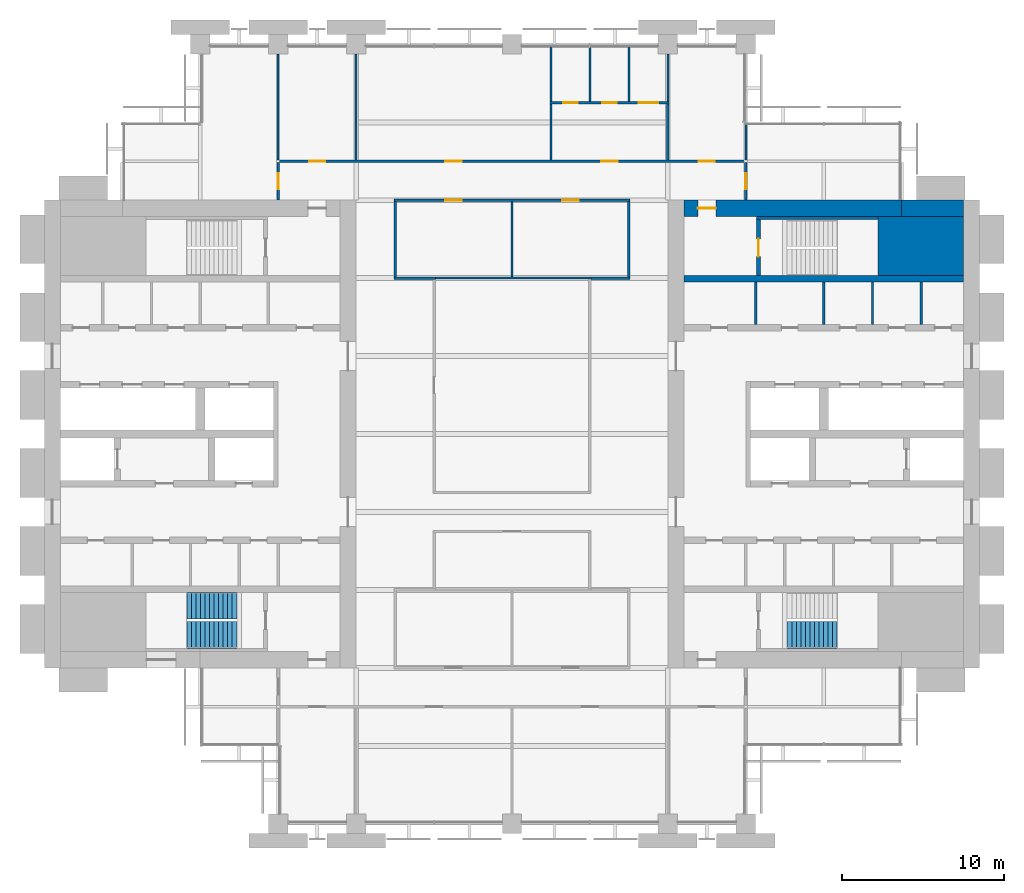
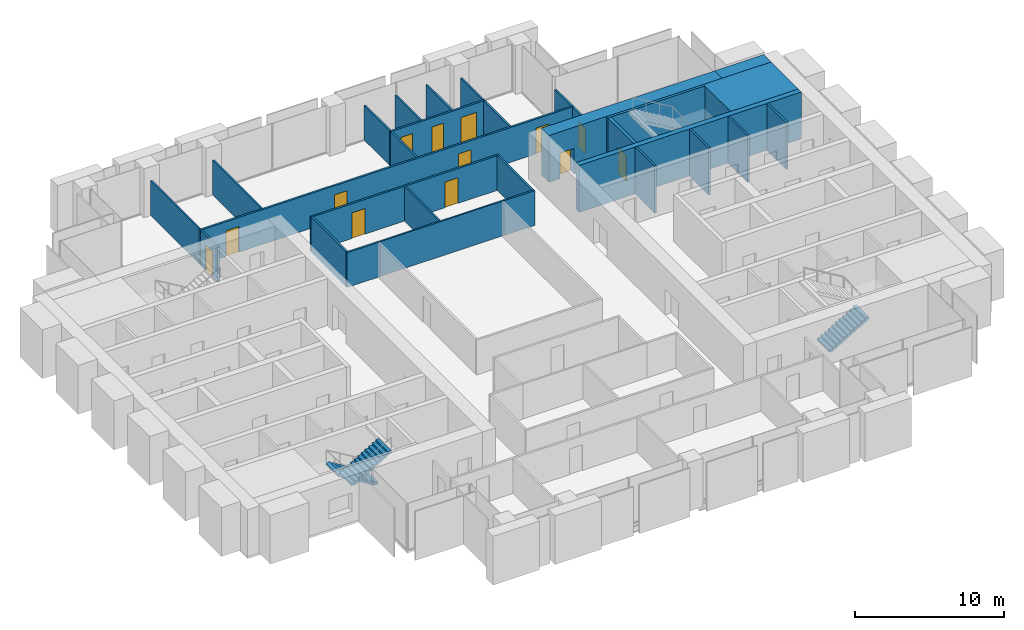
# One storey, part 12 of 14: 30 walls, 13 doors, 3 stair flights, 13 openings, 2 elements without a shape of their own.
"""IFC4 building model written with IfcOpenShell, lengths in metres."""

from ifc_helpers import new_model, si_unit, direction, frame, frame_2d, origin, place, context, subcontext, project, spatial, polyline, rectangle, outline, extrude, material, layer, layer_set, type_object, element, fill, aggregate, save


model = new_model("IFC4")

# Units and contexts
model_context = context("Model", 3, precision=1e-05, world=origin(), true_north=direction((0.0, 1.0)))
body_context = subcontext(model_context, "Body", "Model", "MODEL_VIEW")
ifc_project = project(units=[si_unit("LENGTHUNIT", "METRE"), si_unit("AREAUNIT", "SQUARE_METRE"), si_unit("VOLUMEUNIT", "CUBIC_METRE"), si_unit("PLANEANGLEUNIT", "RADIAN"), si_unit("MASSUNIT", "GRAM", prefix="KILO")], contexts=[model_context])

# Site, building, storey
site_placement = place(None, origin())
site = spatial("IfcSite", under=ifc_project, at=site_placement, CompositionType="ELEMENT")
building_placement = place(site_placement, origin())
building = spatial("IfcBuilding", under=site, at=building_placement, Name="Baori Bourse Tower", CompositionType="ELEMENT")
storey_placement = place(building_placement, frame((0.0, 0.0, 112.10009765625)))
storey = spatial("IfcBuildingStorey", under=building, at=storey_placement, Name="L23", CompositionType="ELEMENT", Elevation=112.10009765625)

# Walls
ifc_material_1 = material(Name="Concrete f'c 60 MPa", Category="concrete")
wall_type_1 = type_object("IfcWallType", Name="Core corner block f'c 60", PredefinedType="SHEAR", material=ifc_material_1)
wall_1_placement = place(storey_placement, frame((51.35009765625, 35.574951171875, 0.0), z_axis=(0.0, 0.0, 1.0), x_axis=(1.0, 0.0, 0.0)))
element("IfcWall", 1, at=wall_1_placement, inside=storey, type_object=wall_type_1, Name="Core wall E27", PredefinedType="SHEAR", context=body_context, shape_type="SweptSolid", body=[
    extrude(rectangle(XDim=5.25, YDim=3.64990234375, at=frame_2d((2.625, 0.0))), origin(), (0.0, 0.0, 1.0), 3.83984375),
])
ifc_material_2 = material(Name="Blockwork partition", Category="masonry")
ifc_layer_1 = layer(ifc_material_2, 0.14990234375)
ifc_layer_set_1 = layer_set([ifc_layer_1], Name="Core partition 150")
wall_type_2 = type_object("IfcWallType", Name="Core partition 150", PredefinedType="PARTITIONING", material=ifc_layer_set_1)
for number, where, z_axis, x_axis, name in (
    (2, (54.0, 30.75, 0.0), (0.0, 0.0, 1.0), (0.0, 1.0, 0.0), "Partition wall E22"),
    (3, (51.0, 30.75, 0.0), (0.0, 0.0, 1.0), (0.0, 1.0, 0.0), "Partition wall E23"),
    (4, (48.0, 30.75, 0.0), (0.0, 0.0, 1.0), (0.0, 1.0, 0.0), "Partition wall E24"),
    (5, (43.800048828125, 30.75, 0.0), (0.0, 0.0, 1.0), (0.0, 1.0, 0.0), "Partition wall E25"),
):
    element("IfcWall", number, at=place(storey_placement, frame(where, z_axis=z_axis, x_axis=x_axis)), inside=storey, type_object=wall_type_2, Name=name, PredefinedType="PARTITIONING", context=body_context, shape_type="SweptSolid", body=[
        extrude(rectangle(XDim=2.60009765625, YDim=0.14990234375, at=frame_2d((1.300048828125, 0.0))), origin(), (0.0, 0.0, 1.0), 3.83984375),
    ])
ifc_material_3 = material(Name="Concrete f'c 60 MPa", Category="concrete")
ifc_layer_2 = layer(ifc_material_3, 1.0)
ifc_layer_set_2 = layer_set([ifc_layer_2], Name="Core wall 1000 f'c 60")
wall_type_3 = type_object("IfcWallType", Name="Core wall 1000 f'c 60", PredefinedType="SHEAR", material=ifc_layer_set_2)
wall_2_placement = place(storey_placement, frame((52.800048828125, 37.89990234375, 0.0), z_axis=(0.0, 0.0, 1.0), x_axis=(1.0, 0.0, 0.0)))
element("IfcWall", 6, at=wall_2_placement, inside=storey, type_object=wall_type_3, Name="Core wall E30", PredefinedType="SHEAR", context=body_context, shape_type="SweptSolid", body=[
    extrude(rectangle(XDim=3.800048828125, YDim=1.0, at=frame_2d((1.89990234375, 0.0))), origin(), (0.0, 0.0, 1.0), 3.83984375),
])

# Wall, opening, door
wall_3_placement = place(storey_placement, frame((39.39990234375, 37.89990234375, 0.0), z_axis=(0.0, 0.0, 1.0), x_axis=(1.0, 0.0, 0.0)))
wall_3 = element("IfcWall", 7, at=wall_3_placement, inside=storey, type_object=wall_type_3, Name="Core wall E31", PredefinedType="SHEAR", context=body_context, shape_type="SweptSolid", body=[
    extrude(rectangle(XDim=13.400146484375, YDim=1.0, at=frame_2d((6.7001953125, 0.0))), origin(), (0.0, 0.0, 1.0), 3.83984375),
])
opening_1_placement = place(wall_3_placement, frame((0.85009765625, 0.0, 0.0)))
opening_1 = element("IfcOpeningElement", 8, at=opening_1_placement, cuts=wall_3, Name="Opening L23-D204", PredefinedType="OPENING", context=body_context, shape_type="SweptSolid", body=[
    extrude(rectangle(XDim=1.10009765625, YDim=2.10009765625, at=frame_2d((0.550048828125, 1.050048828125))), frame((0.0, 0.510009765625, 0.0), z_axis=(0.0, -1.0, 0.0), x_axis=(1.0, 0.0, 0.0)), (0.0, 0.0, 1.0), 1.02001953125),
])
ifc_material_4 = material(Name="Painted steel door", Category="steel")
door_type_1 = type_object("IfcDoorType", Name="Stair door 1100", OperationType="SINGLE_SWING_LEFT", PredefinedType="DOOR", material=ifc_material_4)
door_1_placement = place(opening_1_placement, origin())
door_1 = element("IfcDoor", 9, at=door_1_placement, inside=storey, type_object=door_type_1, Name="Stair vestibule door B E L23", OperationType="SINGLE_SWING_LEFT", OverallHeight=2.10009765625, OverallWidth=1.10009765625, PredefinedType="DOOR", context=body_context, shape_type="SweptSolid", body=[
    extrude(rectangle(XDim=1.10009765625, YDim=2.10009765625, at=frame_2d((0.550048828125, 1.050048828125))), frame((0.0, 0.02490234375, 0.0), z_axis=(0.0, -1.0, 0.0), x_axis=(1.0, 0.0, 0.0)), (0.0, 0.0, 1.0), 0.050048828125),
])
fill(opening_1, door_1)

# Walls
ifc_material_5 = material(Name="Gypsum board partition")
ifc_layer_3 = layer(ifc_material_5, 0.14990234375)
ifc_layer_set_3 = layer_set([ifc_layer_3], Name="Corridor partition 150")
wall_type_4 = type_object("IfcWallType", Name="Corridor partition 150", PredefinedType="PARTITIONING", material=ifc_layer_set_3)
wall_4_placement = place(storey_placement, frame((21.52490234375, 33.60009765625, 0.0), z_axis=(0.0, 0.0, 1.0), x_axis=(1.0, 0.0, 0.0)))
element("IfcWall", 10, at=wall_4_placement, inside=storey, type_object=wall_type_4, Name="Partition", PredefinedType="PARTITIONING", context=body_context, shape_type="SweptSolid", body=[
    extrude(rectangle(XDim=2.550048828125, YDim=0.14990234375, at=frame_2d((1.27490234375, 0.0))), origin(), (0.0, 0.0, 1.0), 2.849365234375),
])
wall_5_placement = place(storey_placement, frame((33.675048828125, 33.60009765625, 0.0), z_axis=(0.0, 0.0, 1.0), x_axis=(1.0, 0.0, 0.0)))
element("IfcWall", 11, at=wall_5_placement, inside=storey, type_object=wall_type_4, Name="Partition", PredefinedType="PARTITIONING", context=body_context, shape_type="SweptSolid", body=[
    extrude(rectangle(XDim=2.39990234375, YDim=0.14990234375, at=frame_2d((1.199951171875, 0.0))), origin(), (0.0, 0.0, 1.0), 2.849365234375),
])

# Wall, openings, doors
wall_6_placement = place(storey_placement, frame((21.52490234375, 38.39990234375, 0.0), z_axis=(0.0, 0.0, 1.0), x_axis=(1.0, 0.0, 0.0)))
wall_6 = element("IfcWall", 12, at=wall_6_placement, inside=storey, type_object=wall_type_4, Name="Partition", PredefinedType="PARTITIONING", context=body_context, shape_type="SweptSolid", body=[
    extrude(rectangle(XDim=14.550048828125, YDim=0.14990234375, at=frame_2d((7.27490234375, 0.0))), origin(), (0.0, 0.0, 1.0), 2.849365234375),
])
opening_2_placement = place(wall_6_placement, frame((3.175048828125, 0.0, 0.0)))
opening_2 = element("IfcOpeningElement", 13, at=opening_2_placement, cuts=wall_6, Name="Opening L23-D08", PredefinedType="OPENING", context=body_context, shape_type="SweptSolid", body=[
    extrude(rectangle(XDim=1.0, YDim=2.10009765625, at=frame_2d((0.5, 1.050048828125))), frame((0.0, 0.0849609375, 0.0), z_axis=(0.0, -1.0, 0.0), x_axis=(1.0, 0.0, 0.0)), (0.0, 0.0, 1.0), 0.169921875),
])
opening_3_placement = place(wall_6_placement, frame((10.375, 0.0, 0.0)))
opening_3 = element("IfcOpeningElement", 14, at=opening_3_placement, cuts=wall_6, Name="Opening L23-D09", PredefinedType="OPENING", context=body_context, shape_type="SweptSolid", body=[
    extrude(rectangle(XDim=1.0, YDim=2.10009765625, at=frame_2d((0.5, 1.050048828125))), frame((0.0, 0.0849609375, 0.0), z_axis=(0.0, -1.0, 0.0), x_axis=(1.0, 0.0, 0.0)), (0.0, 0.0, 1.0), 0.169921875),
])
ifc_material_6 = material(Name="Timber door leaf", Category="wood")
door_type_2 = type_object("IfcDoorType", Name="Door 1000 x 2100", OperationType="SINGLE_SWING_LEFT", PredefinedType="DOOR", material=ifc_material_6)
door_2_placement = place(opening_2_placement, origin())
door_2 = element("IfcDoor", 15, at=door_2_placement, inside=storey, type_object=door_type_2, Name="Door", OperationType="SINGLE_SWING_LEFT", OverallHeight=2.10009765625, OverallWidth=1.0, PredefinedType="DOOR", context=body_context, shape_type="SweptSolid", body=[
    extrude(rectangle(XDim=1.0, YDim=2.10009765625, at=frame_2d((0.5, 1.050048828125))), frame((0.0, 0.02490234375, 0.0), z_axis=(0.0, -1.0, 0.0), x_axis=(1.0, 0.0, 0.0)), (0.0, 0.0, 1.0), 0.050048828125),
])
fill(opening_2, door_2)
door_3_placement = place(opening_3_placement, origin())
door_3 = element("IfcDoor", 16, at=door_3_placement, inside=storey, type_object=door_type_2, Name="Door", OperationType="SINGLE_SWING_RIGHT", OverallHeight=2.10009765625, OverallWidth=1.0, PredefinedType="DOOR", context=body_context, shape_type="SweptSolid", body=[
    extrude(rectangle(XDim=1.0, YDim=2.10009765625, at=frame_2d((0.5, 1.050048828125))), frame((0.0, 0.02490234375, 0.0), z_axis=(0.0, -1.0, 0.0), x_axis=(1.0, 0.0, 0.0)), (0.0, 0.0, 1.0), 0.050048828125),
])
fill(opening_3, door_3)

wall_7_placement = place(storey_placement, frame((14.324951171875, 40.800048828125, 0.0), z_axis=(0.0, 0.0, 1.0), x_axis=(1.0, 0.0, 0.0)))
wall_7 = element("IfcWall", 17, at=wall_7_placement, inside=storey, type_object=wall_type_4, Name="Partition", PredefinedType="PARTITIONING", context=body_context, shape_type="SweptSolid", body=[
    extrude(rectangle(XDim=28.949951171875, YDim=0.14990234375, at=frame_2d((14.47509765625, 0.0))), origin(), (0.0, 0.0, 1.0), 2.849365234375),
])
opening_4_placement = place(wall_7_placement, frame((1.97509765625, 0.0, 0.0)))
opening_4 = element("IfcOpeningElement", 18, at=opening_4_placement, cuts=wall_7, Name="Opening L23-D10", PredefinedType="OPENING", context=body_context, shape_type="SweptSolid", body=[
    extrude(rectangle(XDim=1.0, YDim=2.10009765625, at=frame_2d((0.5, 1.050048828125))), frame((0.0, 0.0849609375, 0.0), z_axis=(0.0, -1.0, 0.0), x_axis=(1.0, 0.0, 0.0)), (0.0, 0.0, 1.0), 0.169921875),
])
opening_5_placement = place(wall_7_placement, frame((10.375, 0.0, 0.0)))
opening_5 = element("IfcOpeningElement", 19, at=opening_5_placement, cuts=wall_7, Name="Opening L23-D11", PredefinedType="OPENING", context=body_context, shape_type="SweptSolid", body=[
    extrude(rectangle(XDim=1.0, YDim=2.10009765625, at=frame_2d((0.5, 1.050048828125))), frame((0.0, 0.0849609375, 0.0), z_axis=(0.0, -1.0, 0.0), x_axis=(1.0, 0.0, 0.0)), (0.0, 0.0, 1.0), 0.169921875),
])
opening_6_placement = place(wall_7_placement, frame((19.97509765625, 0.0, 0.0)))
opening_6 = element("IfcOpeningElement", 20, at=opening_6_placement, cuts=wall_7, Name="Opening L23-D12", PredefinedType="OPENING", context=body_context, shape_type="SweptSolid", body=[
    extrude(rectangle(XDim=1.0, YDim=2.10009765625, at=frame_2d((0.5, 1.050048828125))), frame((0.0, 0.0849609375, 0.0), z_axis=(0.0, -1.0, 0.0), x_axis=(1.0, 0.0, 0.0)), (0.0, 0.0, 1.0), 0.169921875),
])
opening_7_placement = place(wall_7_placement, frame((25.97509765625, 0.0, 0.0)))
opening_7 = element("IfcOpeningElement", 21, at=opening_7_placement, cuts=wall_7, Name="Opening L23-D13", PredefinedType="OPENING", context=body_context, shape_type="SweptSolid", body=[
    extrude(rectangle(XDim=1.0, YDim=2.10009765625, at=frame_2d((0.5, 1.050048828125))), frame((0.0, 0.0849609375, 0.0), z_axis=(0.0, -1.0, 0.0), x_axis=(1.0, 0.0, 0.0)), (0.0, 0.0, 1.0), 0.169921875),
])
door_4_placement = place(opening_4_placement, origin())
door_4 = element("IfcDoor", 22, at=door_4_placement, inside=storey, type_object=door_type_2, Name="Door", OperationType="SINGLE_SWING_RIGHT", OverallHeight=2.10009765625, OverallWidth=1.0, PredefinedType="DOOR", context=body_context, shape_type="SweptSolid", body=[
    extrude(rectangle(XDim=1.0, YDim=2.10009765625, at=frame_2d((0.5, 1.050048828125))), frame((0.0, 0.02490234375, 0.0), z_axis=(0.0, -1.0, 0.0), x_axis=(1.0, 0.0, 0.0)), (0.0, 0.0, 1.0), 0.050048828125),
])
fill(opening_4, door_4)
door_5_placement = place(opening_5_placement, origin())
door_5 = element("IfcDoor", 23, at=door_5_placement, inside=storey, type_object=door_type_2, Name="Door", OperationType="SINGLE_SWING_RIGHT", OverallHeight=2.10009765625, OverallWidth=1.0, PredefinedType="DOOR", context=body_context, shape_type="SweptSolid", body=[
    extrude(rectangle(XDim=1.0, YDim=2.10009765625, at=frame_2d((0.5, 1.050048828125))), frame((0.0, 0.02490234375, 0.0), z_axis=(0.0, -1.0, 0.0), x_axis=(1.0, 0.0, 0.0)), (0.0, 0.0, 1.0), 0.050048828125),
])
fill(opening_5, door_5)
door_6_placement = place(opening_6_placement, origin())
door_6 = element("IfcDoor", 24, at=door_6_placement, inside=storey, type_object=door_type_2, Name="Door", OperationType="SINGLE_SWING_RIGHT", OverallHeight=2.10009765625, OverallWidth=1.0, PredefinedType="DOOR", context=body_context, shape_type="SweptSolid", body=[
    extrude(rectangle(XDim=1.0, YDim=2.10009765625, at=frame_2d((0.5, 1.050048828125))), frame((0.0, 0.02490234375, 0.0), z_axis=(0.0, -1.0, 0.0), x_axis=(1.0, 0.0, 0.0)), (0.0, 0.0, 1.0), 0.050048828125),
])
fill(opening_6, door_6)
door_7_placement = place(opening_7_placement, origin())
door_7 = element("IfcDoor", 25, at=door_7_placement, inside=storey, type_object=door_type_2, Name="Door", OperationType="SINGLE_SWING_LEFT", OverallHeight=2.10009765625, OverallWidth=1.0, PredefinedType="DOOR", context=body_context, shape_type="SweptSolid", body=[
    extrude(rectangle(XDim=1.0, YDim=2.10009765625, at=frame_2d((0.5, 1.050048828125))), frame((0.0, 0.02490234375, 0.0), z_axis=(0.0, -1.0, 0.0), x_axis=(1.0, 0.0, 0.0)), (0.0, 0.0, 1.0), 0.050048828125),
])
fill(opening_7, door_7)

wall_8_placement = place(storey_placement, frame((31.125, 44.39990234375, 0.0), z_axis=(0.0, 0.0, 1.0), x_axis=(1.0, 0.0, 0.0)))
wall_8 = element("IfcWall", 26, at=wall_8_placement, inside=storey, type_object=wall_type_4, Name="Partition", PredefinedType="PARTITIONING", context=body_context, shape_type="SweptSolid", body=[
    extrude(rectangle(XDim=7.35009765625, YDim=0.14990234375, at=frame_2d((3.675048828125, 0.0))), origin(), (0.0, 0.0, 1.0), 2.849365234375),
])
opening_8_placement = place(wall_8_placement, frame((0.824951171875, 0.0, 0.0)))
opening_8 = element("IfcOpeningElement", 27, at=opening_8_placement, cuts=wall_8, Name="Opening L23-D14", PredefinedType="OPENING", context=body_context, shape_type="SweptSolid", body=[
    extrude(rectangle(XDim=0.89990234375, YDim=2.10009765625, at=frame_2d((0.449951171875, 1.050048828125))), frame((0.0, 0.0849609375, 0.0), z_axis=(0.0, -1.0, 0.0), x_axis=(1.0, 0.0, 0.0)), (0.0, 0.0, 1.0), 0.169921875),
])
opening_9_placement = place(wall_8_placement, frame((3.22509765625, 0.0, 0.0)))
opening_9 = element("IfcOpeningElement", 28, at=opening_9_placement, cuts=wall_8, Name="Opening L23-D15", PredefinedType="OPENING", context=body_context, shape_type="SweptSolid", body=[
    extrude(rectangle(XDim=0.89990234375, YDim=2.10009765625, at=frame_2d((0.449951171875, 1.050048828125))), frame((0.0, 0.0849609375, 0.0), z_axis=(0.0, -1.0, 0.0), x_axis=(1.0, 0.0, 0.0)), (0.0, 0.0, 1.0), 0.169921875),
])
opening_10_placement = place(wall_8_placement, frame((5.47509765625, 0.0, 0.0)))
opening_10 = element("IfcOpeningElement", 29, at=opening_10_placement, cuts=wall_8, Name="Opening L23-D16", PredefinedType="OPENING", context=body_context, shape_type="SweptSolid", body=[
    extrude(rectangle(XDim=1.199951171875, YDim=2.10009765625, at=frame_2d((0.60009765625, 1.050048828125))), frame((0.0, 0.0849609375, 0.0), z_axis=(0.0, -1.0, 0.0), x_axis=(1.0, 0.0, 0.0)), (0.0, 0.0, 1.0), 0.169921875),
])
ifc_material_7 = material(Name="Timber door leaf", Category="wood")
door_type_3 = type_object("IfcDoorType", Name="Door 1200 x 2100", OperationType="SINGLE_SWING_LEFT", PredefinedType="DOOR", material=ifc_material_7)
door_8_placement = place(opening_10_placement, origin())
door_8 = element("IfcDoor", 30, at=door_8_placement, inside=storey, type_object=door_type_3, Name="Door", OperationType="SINGLE_SWING_LEFT", OverallHeight=2.10009765625, OverallWidth=1.199951171875, PredefinedType="DOOR", context=body_context, shape_type="SweptSolid", body=[
    extrude(rectangle(XDim=1.199951171875, YDim=2.10009765625, at=frame_2d((0.60009765625, 1.050048828125))), frame((0.0, 0.02490234375, 0.0), z_axis=(0.0, -1.0, 0.0), x_axis=(1.0, 0.0, 0.0)), (0.0, 0.0, 1.0), 0.050048828125),
])
fill(opening_10, door_8)
ifc_material_8 = material(Name="Timber door leaf", Category="wood")
door_type_4 = type_object("IfcDoorType", Name="Door 900 x 2100", OperationType="SINGLE_SWING_LEFT", PredefinedType="DOOR", material=ifc_material_8)
door_9_placement = place(opening_8_placement, origin())
door_9 = element("IfcDoor", 31, at=door_9_placement, inside=storey, type_object=door_type_4, Name="Door", OperationType="SINGLE_SWING_RIGHT", OverallHeight=2.10009765625, OverallWidth=0.89990234375, PredefinedType="DOOR", context=body_context, shape_type="SweptSolid", body=[
    extrude(rectangle(XDim=0.89990234375, YDim=2.10009765625, at=frame_2d((0.449951171875, 1.050048828125))), frame((0.0, 0.02490234375, 0.0), z_axis=(0.0, -1.0, 0.0), x_axis=(1.0, 0.0, 0.0)), (0.0, 0.0, 1.0), 0.050048828125),
])
fill(opening_8, door_9)
door_10_placement = place(opening_9_placement, origin())
door_10 = element("IfcDoor", 32, at=door_10_placement, inside=storey, type_object=door_type_4, Name="Door", OperationType="SINGLE_SWING_RIGHT", OverallHeight=2.10009765625, OverallWidth=0.89990234375, PredefinedType="DOOR", context=body_context, shape_type="SweptSolid", body=[
    extrude(rectangle(XDim=0.89990234375, YDim=2.10009765625, at=frame_2d((0.449951171875, 1.050048828125))), frame((0.0, 0.02490234375, 0.0), z_axis=(0.0, -1.0, 0.0), x_axis=(1.0, 0.0, 0.0)), (0.0, 0.0, 1.0), 0.050048828125),
])
fill(opening_9, door_10)

# Wall, opening, door
wall_9_placement = place(storey_placement, frame((14.39990234375, 38.39990234375, 0.0), z_axis=(0.0, 0.0, 1.0), x_axis=(0.0, 1.0, 0.0)))
wall_9 = element("IfcWall", 33, at=wall_9_placement, inside=storey, type_object=wall_type_4, Name="Partition", PredefinedType="PARTITIONING", context=body_context, shape_type="SweptSolid", body=[
    extrude(rectangle(XDim=2.3251953125, YDim=0.14990234375, at=frame_2d((1.16259765625, 0.0))), origin(), (0.0, 0.0, 1.0), 2.849365234375),
])
opening_11_placement = place(wall_9_placement, frame((0.66259765625, 0.0, 0.0)))
opening_11 = element("IfcOpeningElement", 34, at=opening_11_placement, cuts=wall_9, Name="Opening L23-D18", PredefinedType="OPENING", context=body_context, shape_type="SweptSolid", body=[
    extrude(rectangle(XDim=1.0, YDim=2.10009765625, at=frame_2d((0.5, 1.050048828125))), frame((0.0, 0.0849609375, 0.0), z_axis=(0.0, -1.0, 0.0), x_axis=(1.0, 0.0, 0.0)), (0.0, 0.0, 1.0), 0.169921875),
])
door_11_placement = place(opening_11_placement, origin())
door_11 = element("IfcDoor", 35, at=door_11_placement, inside=storey, type_object=door_type_2, Name="Door", OperationType="SINGLE_SWING_RIGHT", OverallHeight=2.10009765625, OverallWidth=1.0, PredefinedType="DOOR", context=body_context, shape_type="SweptSolid", body=[
    extrude(rectangle(XDim=1.0, YDim=2.10009765625, at=frame_2d((0.5, 1.050048828125))), frame((0.0, 0.02490234375, 0.0), z_axis=(0.0, -1.0, 0.0), x_axis=(1.0, 0.0, 0.0)), (0.0, 0.0, 1.0), 0.050048828125),
])
fill(opening_11, door_11)

# Walls
wall_10_placement = place(storey_placement, frame((21.60009765625, 33.675048828125, 0.0), z_axis=(0.0, 0.0, 1.0), x_axis=(0.0, 1.0, 0.0)))
element("IfcWall", 36, at=wall_10_placement, inside=storey, type_object=wall_type_4, Name="Partition", PredefinedType="PARTITIONING", context=body_context, shape_type="SweptSolid", body=[
    extrude(rectangle(XDim=4.64990234375, YDim=0.14990234375, at=frame_2d((2.324951171875, 0.0))), origin(), (0.0, 0.0, 1.0), 2.849365234375),
])
wall_11_placement = place(storey_placement, frame((31.199951171875, 40.875, 0.0), z_axis=(0.0, 0.0, 1.0), x_axis=(0.0, 1.0, 0.0)))
element("IfcWall", 37, at=wall_11_placement, inside=storey, type_object=wall_type_4, Name="Partition", PredefinedType="PARTITIONING", context=body_context, shape_type="SweptSolid", body=[
    extrude(rectangle(XDim=3.449951171875, YDim=0.14990234375, at=frame_2d((1.72509765625, 0.0))), origin(), (0.0, 0.0, 1.0), 2.849365234375),
])
wall_12_placement = place(storey_placement, frame((36.0, 33.675048828125, 0.0), z_axis=(0.0, 0.0, 1.0), x_axis=(0.0, 1.0, 0.0)))
element("IfcWall", 38, at=wall_12_placement, inside=storey, type_object=wall_type_4, Name="Partition", PredefinedType="PARTITIONING", context=body_context, shape_type="SweptSolid", body=[
    extrude(rectangle(XDim=4.64990234375, YDim=0.14990234375, at=frame_2d((2.324951171875, 0.0))), origin(), (0.0, 0.0, 1.0), 2.849365234375),
])
wall_13_placement = place(storey_placement, frame((38.39990234375, 40.875, 0.0), z_axis=(0.0, 0.0, 1.0), x_axis=(0.0, 1.0, 0.0)))
element("IfcWall", 39, at=wall_13_placement, inside=storey, type_object=wall_type_4, Name="Partition", PredefinedType="PARTITIONING", context=body_context, shape_type="SweptSolid", body=[
    extrude(rectangle(XDim=3.449951171875, YDim=0.14990234375, at=frame_2d((1.72509765625, 0.0))), origin(), (0.0, 0.0, 1.0), 2.849365234375),
])

# Wall, opening, door
wall_14_placement = place(storey_placement, frame((43.199951171875, 38.39990234375, 0.0), z_axis=(0.0, 0.0, 1.0), x_axis=(0.0, 1.0, 0.0)))
wall_14 = element("IfcWall", 40, at=wall_14_placement, inside=storey, type_object=wall_type_4, Name="Partition", PredefinedType="PARTITIONING", context=body_context, shape_type="SweptSolid", body=[
    extrude(rectangle(XDim=2.3251953125, YDim=0.14990234375, at=frame_2d((1.16259765625, 0.0))), origin(), (0.0, 0.0, 1.0), 2.849365234375),
])
opening_12_placement = place(wall_14_placement, frame((0.66259765625, 0.0, 0.0)))
opening_12 = element("IfcOpeningElement", 41, at=opening_12_placement, cuts=wall_14, Name="Opening L23-D21", PredefinedType="OPENING", context=body_context, shape_type="SweptSolid", body=[
    extrude(rectangle(XDim=1.0, YDim=2.10009765625, at=frame_2d((0.5, 1.050048828125))), frame((0.0, 0.0849609375, 0.0), z_axis=(0.0, -1.0, 0.0), x_axis=(1.0, 0.0, 0.0)), (0.0, 0.0, 1.0), 0.169921875),
])
door_12_placement = place(opening_12_placement, origin())
door_12 = element("IfcDoor", 42, at=door_12_placement, inside=storey, type_object=door_type_2, Name="Door", OperationType="SINGLE_SWING_LEFT", OverallHeight=2.10009765625, OverallWidth=1.0, PredefinedType="DOOR", context=body_context, shape_type="SweptSolid", body=[
    extrude(rectangle(XDim=1.0, YDim=2.10009765625, at=frame_2d((0.5, 1.050048828125))), frame((0.0, 0.02490234375, 0.0), z_axis=(0.0, -1.0, 0.0), x_axis=(1.0, 0.0, 0.0)), (0.0, 0.0, 1.0), 0.050048828125),
])
fill(opening_12, door_12)

# Walls
ifc_material_9 = material(Name="Gypsum board partition")
ifc_layer_4 = layer(ifc_material_9, 0.125)
ifc_layer_set_4 = layer_set([ifc_layer_4], Name="Partition 125")
wall_type_5 = type_object("IfcWallType", Name="Partition 125", PredefinedType="PARTITIONING", material=ifc_layer_set_4)
wall_15_placement = place(storey_placement, frame((24.074951171875, 33.60009765625, 0.0), z_axis=(0.0, 0.0, 1.0), x_axis=(1.0, 0.0, 0.0)))
element("IfcWall", 43, at=wall_15_placement, inside=storey, type_object=wall_type_5, Name="Partition", PredefinedType="PARTITIONING", context=body_context, shape_type="SweptSolid", body=[
    extrude(rectangle(XDim=9.60009765625, YDim=0.125, at=frame_2d((4.800048828125, 0.0))), origin(), (0.0, 0.0, 1.0), 2.849365234375),
])
for number, where, z_axis, x_axis, name in (
    (44, (14.39990234375, 40.875, 0.0), (0.0, 0.0, 1.0), (0.0, 1.0, 0.0), "Partition"),
    (45, (19.199951171875, 40.875, 0.0), (0.0, 0.0, 1.0), (0.0, 1.0, 0.0), "Partition"),
):
    element("IfcWall", number, at=place(storey_placement, frame(where, z_axis=z_axis, x_axis=x_axis)), inside=storey, type_object=wall_type_5, Name=name, PredefinedType="PARTITIONING", context=body_context, shape_type="SweptSolid", body=[
        extrude(rectangle(XDim=6.52490234375, YDim=0.125, at=frame_2d((3.262451171875, 0.0))), origin(), (0.0, 0.0, 1.0), 2.849365234375),
    ])
wall_16_placement = place(storey_placement, frame((28.800048828125, 33.66259765625, 0.0), z_axis=(0.0, 0.0, 1.0), x_axis=(0.0, 1.0, 0.0)))
element("IfcWall", 46, at=wall_16_placement, inside=storey, type_object=wall_type_5, Name="Partition", PredefinedType="PARTITIONING", context=body_context, shape_type="SweptSolid", body=[
    extrude(rectangle(XDim=4.662353515625, YDim=0.125, at=frame_2d((2.3310546875, 0.0))), origin(), (0.0, 0.0, 1.0), 2.849365234375),
])
for number, where, z_axis, x_axis, name in (
    (47, (31.199951171875, 44.47509765625, 0.0), (0.0, 0.0, 1.0), (0.0, 1.0, 0.0), "Partition"),
    (48, (33.60009765625, 44.47509765625, 0.0), (0.0, 0.0, 1.0), (0.0, 1.0, 0.0), "Partition"),
    (49, (36.0, 44.47509765625, 0.0), (0.0, 0.0, 1.0), (0.0, 1.0, 0.0), "Partition"),
):
    element("IfcWall", number, at=place(storey_placement, frame(where, z_axis=z_axis, x_axis=x_axis)), inside=storey, type_object=wall_type_5, Name=name, PredefinedType="PARTITIONING", context=body_context, shape_type="SweptSolid", body=[
        extrude(rectangle(XDim=3.4248046875, YDim=0.125, at=frame_2d((1.71240234375, 0.0))), origin(), (0.0, 0.0, 1.0), 2.849365234375),
    ])
wall_17_placement = place(storey_placement, frame((38.39990234375, 44.47509765625, 0.0), z_axis=(0.0, 0.0, 1.0), x_axis=(0.0, 1.0, 0.0)))
element("IfcWall", 50, at=wall_17_placement, inside=storey, type_object=wall_type_5, Name="Partition", PredefinedType="PARTITIONING", context=body_context, shape_type="SweptSolid", body=[
    extrude(rectangle(XDim=2.9248046875, YDim=0.125, at=frame_2d((1.46240234375, 0.0))), origin(), (0.0, 0.0, 1.0), 2.849365234375),
])
wall_18_placement = place(storey_placement, frame((43.199951171875, 40.875, 0.0), z_axis=(0.0, 0.0, 1.0), x_axis=(0.0, 1.0, 0.0)))
element("IfcWall", 51, at=wall_18_placement, inside=storey, type_object=wall_type_5, Name="Partition", PredefinedType="PARTITIONING", context=body_context, shape_type="SweptSolid", body=[
    extrude(rectangle(XDim=2.22509765625, YDim=0.125, at=frame_2d((1.112548828125, 0.0))), origin(), (0.0, 0.0, 1.0), 2.849365234375),
])
ifc_material_10 = material(Name="Concrete f'c 60 MPa", Category="concrete")
ifc_layer_5 = layer(ifc_material_10, 0.199951171875)
ifc_layer_set_5 = layer_set([ifc_layer_5], Name="Shaft wall 200 f'c 60")
wall_type_6 = type_object("IfcWallType", Name="Shaft wall 200 f'c 60", PredefinedType="SHEAR", material=ifc_layer_set_5)
wall_19_placement = place(storey_placement, frame((43.85009765625, 37.300048828125, 0.0), z_axis=(0.0, 0.0, 1.0), x_axis=(1.0, 0.0, 0.0)))
element("IfcWall", 52, at=wall_19_placement, inside=storey, type_object=wall_type_6, Name="Core wall E29", PredefinedType="SHEAR", context=body_context, shape_type="SweptSolid", body=[
    extrude(rectangle(XDim=7.5, YDim=0.199951171875, at=frame_2d((3.75, 0.0))), origin(), (0.0, 0.0, 1.0), 3.83984375),
])

# Wall, opening, door
ifc_material_11 = material(Name="Concrete f'c 60 MPa", Category="concrete")
ifc_layer_6 = layer(ifc_material_11, 0.25)
ifc_layer_set_6 = layer_set([ifc_layer_6], Name="Shaft wall 250 f'c 60")
wall_type_7 = type_object("IfcWallType", Name="Shaft wall 250 f'c 60", PredefinedType="SHEAR", material=ifc_layer_set_6)
wall_20_placement = place(storey_placement, frame((43.97509765625, 33.75, 0.0), z_axis=(0.0, 0.0, 1.0), x_axis=(0.0, 1.0, 0.0)))
wall_20 = element("IfcWall", 53, at=wall_20_placement, inside=storey, type_object=wall_type_7, Name="Core wall E28", PredefinedType="SHEAR", context=body_context, shape_type="SweptSolid", body=[
    extrude(rectangle(XDim=3.449951171875, YDim=0.25, at=frame_2d((1.72509765625, 0.0))), origin(), (0.0, 0.0, 1.0), 3.83984375),
])
opening_13_placement = place(wall_20_placement, frame((1.175048828125, 0.0, 0.0)))
opening_13 = element("IfcOpeningElement", 54, at=opening_13_placement, cuts=wall_20, Name="Opening L23-D203", PredefinedType="OPENING", context=body_context, shape_type="SweptSolid", body=[
    extrude(rectangle(XDim=1.10009765625, YDim=2.10009765625, at=frame_2d((0.550048828125, 1.050048828125))), frame((0.0, 0.135009765625, 0.0), z_axis=(0.0, -1.0, 0.0), x_axis=(1.0, 0.0, 0.0)), (0.0, 0.0, 1.0), 0.27001953125),
])
door_13_placement = place(opening_13_placement, origin())
door_13 = element("IfcDoor", 55, at=door_13_placement, inside=storey, type_object=door_type_1, Name="Stair door B E L23", OperationType="SINGLE_SWING_LEFT", OverallHeight=2.10009765625, OverallWidth=1.10009765625, PredefinedType="DOOR", context=body_context, shape_type="SweptSolid", body=[
    extrude(rectangle(XDim=1.10009765625, YDim=2.10009765625, at=frame_2d((0.550048828125, 1.050048828125))), frame((0.0, 0.02490234375, 0.0), z_axis=(0.0, -1.0, 0.0), x_axis=(1.0, 0.0, 0.0)), (0.0, 0.0, 1.0), 0.050048828125),
])
fill(opening_13, door_13)

# Wall
ifc_material_12 = material(Name="Concrete f'c 60 MPa", Category="concrete")
ifc_layer_7 = layer(ifc_material_12, 0.39990234375)
ifc_layer_set_7 = layer_set([ifc_layer_7], Name="Shaft wall 400 f'c 60")
wall_type_8 = type_object("IfcWallType", Name="Shaft wall 400 f'c 60", PredefinedType="SHEAR", material=ifc_layer_set_7)
wall_21_placement = place(storey_placement, frame((39.39990234375, 33.550048828125, 0.0), z_axis=(0.0, 0.0, 1.0), x_axis=(1.0, 0.0, 0.0)))
element("IfcWall", 56, at=wall_21_placement, inside=storey, type_object=wall_type_8, Name="Core wall E26", PredefinedType="SHEAR", context=body_context, shape_type="SweptSolid", body=[
    extrude(rectangle(XDim=17.2001953125, YDim=0.39990234375, at=frame_2d((8.60009765625, 0.0))), origin(), (0.0, 0.0, 1.0), 3.83984375),
])

# Stair, stair flights
ifc_material_13 = material(Name="Concrete f'c 50 MPa", Category="concrete")
stair_type = type_object("IfcStairType", Name="Core stair", PredefinedType="HALF_TURN_STAIR", material=ifc_material_13)
stair_1_placement = place(storey_placement, origin())
stair_1 = element("IfcStair", 57, at=stair_1_placement, inside=storey, type_object=stair_type, Name="L23 Stair WA", PredefinedType="HALF_TURN_STAIR")
ifc_material_14 = material(Name="Concrete f'c 50 MPa", Category="concrete")
stair_flight_type = type_object("IfcStairFlightType", Name="Core stair flight", PredefinedType="STRAIGHT", material=ifc_material_14)
stair_flight_1_placement = place(storey_placement, frame((11.85009765625, 13.425048828125, 0.0), z_axis=(0.0, 0.0, 1.0), x_axis=(-1.0, 0.0, 0.0)))
stair_flight_1 = element("IfcStairFlight", 58, at=stair_flight_1_placement, type_object=stair_flight_type, Name="ST1 flight 1", NumberOfRisers=12, NumberOfTreads=11, PredefinedType="STRAIGHT", RiserHeight=0.166666667, TreadLength=0.28, context=body_context, shape_type="SweptSolid", body=[
    extrude(outline(polyline([(0.0, 0.0), (0.0, 0.166748046875), (0.280029296875, 0.166748046875), (0.280029296875, 0.333251953125), (0.56005859375, 0.333251953125), (0.56005859375, 0.5), (0.840087890625, 0.5), (0.840087890625, 0.666748046875), (1.1201171875, 0.666748046875), (1.1201171875, 0.833251953125), (1.39990234375, 0.833251953125), (1.39990234375, 1.0), (1.679931640625, 1.0), (1.679931640625, 1.166748046875), (1.9599609375, 1.166748046875), (1.9599609375, 1.333251953125), (2.239990234375, 1.333251953125), (2.239990234375, 1.5), (2.52001953125, 1.5), (2.52001953125, 1.666748046875), (2.800048828125, 1.666748046875), (2.800048828125, 1.833251953125), (3.080078125, 1.833251953125), (3.080078125, 2.0), (3.080078125, 1.658935546875), (0.29296875, 0.0), (0.0, 0.0)])), frame((0.0, 0.824951171875, 0.0), z_axis=(0.0, -1.0, 0.0), x_axis=(1.0, 0.0, 0.0)), (0.0, 0.0, 1.0), 1.64990234375),
])
stair_flight_2_placement = place(storey_placement, frame((8.77001953125, 11.625, 2.0), z_axis=(0.0, 0.0, 1.0), x_axis=(1.0, 0.0, 0.0)))
stair_flight_2 = element("IfcStairFlight", 59, at=stair_flight_2_placement, type_object=stair_flight_type, Name="ST1 flight 2", NumberOfRisers=12, NumberOfTreads=11, PredefinedType="STRAIGHT", RiserHeight=0.166666667, TreadLength=0.28, context=body_context, shape_type="SweptSolid", body=[
    extrude(outline(polyline([(0.0, 0.0), (0.0, 0.166748046875), (0.280029296875, 0.166748046875), (0.280029296875, 0.333251953125), (0.56005859375, 0.333251953125), (0.56005859375, 0.5), (0.840087890625, 0.5), (0.840087890625, 0.666748046875), (1.1201171875, 0.666748046875), (1.1201171875, 0.833251953125), (1.39990234375, 0.833251953125), (1.39990234375, 1.0), (1.679931640625, 1.0), (1.679931640625, 1.166748046875), (1.9599609375, 1.166748046875), (1.9599609375, 1.333251953125), (2.239990234375, 1.333251953125), (2.239990234375, 1.5), (2.52001953125, 1.5), (2.52001953125, 1.666748046875), (2.800048828125, 1.666748046875), (2.800048828125, 1.833251953125), (3.080078125, 1.833251953125), (3.080078125, 2.0), (3.080078125, 1.658935546875), (0.29296875, 0.0), (0.0, 0.0)])), frame((0.0, 0.824951171875, 0.0), z_axis=(0.0, -1.0, 0.0), x_axis=(1.0, 0.0, 0.0)), (0.0, 0.0, 1.0), 1.64990234375),
])
aggregate(stair_1, [stair_flight_1, stair_flight_2])

# Stair, stair flight
stair_2_placement = place(storey_placement, origin())
stair_2 = element("IfcStair", 60, at=stair_2_placement, inside=storey, type_object=stair_type, Name="L23 Stair EA", PredefinedType="HALF_TURN_STAIR")
stair_flight_3_placement = place(storey_placement, frame((45.75, 11.625, 0.0), z_axis=(0.0, 0.0, 1.0), x_axis=(1.0, 0.0, 0.0)))
stair_flight_3 = element("IfcStairFlight", 61, at=stair_flight_3_placement, type_object=stair_flight_type, Name="ST3 flight 1", NumberOfRisers=12, NumberOfTreads=11, PredefinedType="STRAIGHT", RiserHeight=0.166666667, TreadLength=0.28, context=body_context, shape_type="SweptSolid", body=[
    extrude(outline(polyline([(0.0, 0.0), (0.0, 0.166748046875), (0.280029296875, 0.166748046875), (0.280029296875, 0.333251953125), (0.56005859375, 0.333251953125), (0.56005859375, 0.5), (0.840087890625, 0.5), (0.840087890625, 0.666748046875), (1.1201171875, 0.666748046875), (1.1201171875, 0.833251953125), (1.39990234375, 0.833251953125), (1.39990234375, 1.0), (1.679931640625, 1.0), (1.679931640625, 1.166748046875), (1.9599609375, 1.166748046875), (1.9599609375, 1.333251953125), (2.239990234375, 1.333251953125), (2.239990234375, 1.5), (2.52001953125, 1.5), (2.52001953125, 1.666748046875), (2.800048828125, 1.666748046875), (2.800048828125, 1.833251953125), (3.080078125, 1.833251953125), (3.080078125, 2.0), (3.080078125, 1.658935546875), (0.29296875, 0.0), (0.0, 0.0)])), frame((0.0, 0.824951171875, 0.0), z_axis=(0.0, -1.0, 0.0), x_axis=(1.0, 0.0, 0.0)), (0.0, 0.0, 1.0), 1.64990234375),
])
aggregate(stair_2, [stair_flight_3])

save(model, "model.ifc")
